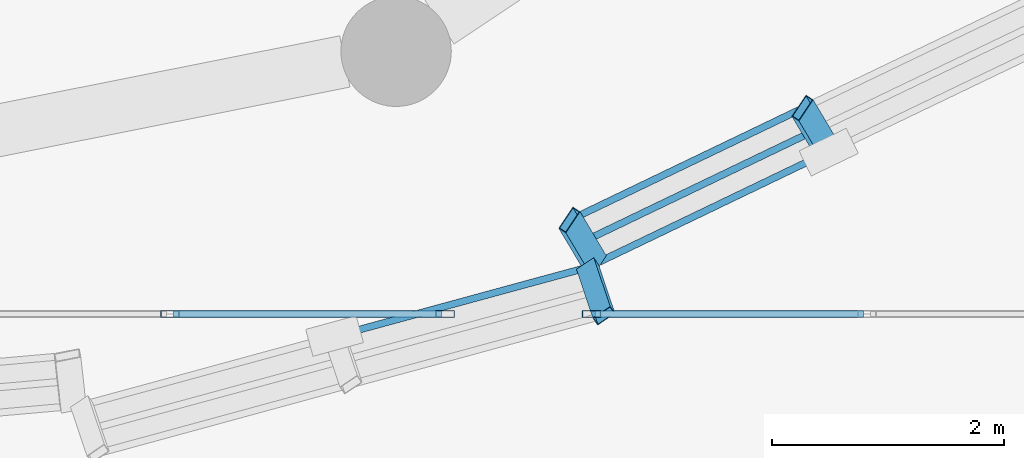
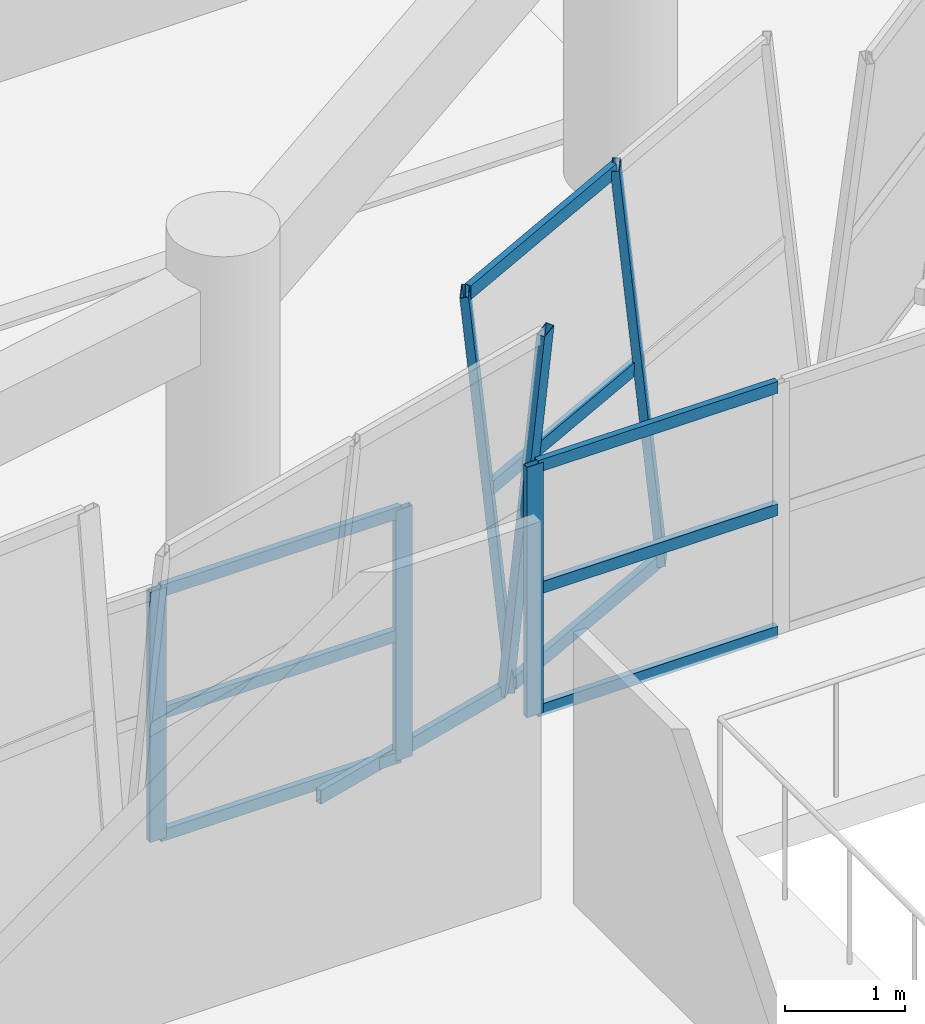
# One storey, part 26 of 71: 16 members, 4 elements without a shape of their own.
"""IFC4 building model written with IfcOpenShell, lengths in metres."""

from ifc_helpers import new_model, si_unit, direction, frame, origin, origin_2d, place, context, subcontext, project, spatial, hollow_rectangle, extrude, material, material_profile, profile_set, type_object, element, aggregate, save


model = new_model("IFC4")

# Units and contexts
model_context = context("Model", 3, precision=1e-05, world=origin(), true_north=direction((0.0, 1.0)))
body_context = subcontext(model_context, "Body", "Model", "MODEL_VIEW")
ifc_project = project(units=[si_unit("LENGTHUNIT", "METRE"), si_unit("AREAUNIT", "SQUARE_METRE"), si_unit("VOLUMEUNIT", "CUBIC_METRE"), si_unit("PLANEANGLEUNIT", "RADIAN"), si_unit("MASSUNIT", "GRAM", prefix="KILO")], contexts=[model_context])

# Site, building, storey
site_placement = place(None, origin())
site = spatial("IfcSite", under=ifc_project, at=site_placement, CompositionType="ELEMENT")
building_placement = place(site_placement, origin())
building = spatial("IfcBuilding", under=site, at=building_placement, Name="Korsvaeld Concert Hall", CompositionType="ELEMENT")
storey_placement = place(building_placement, frame((0.0, 0.0, 4.800048828125)))
storey = spatial("IfcBuildingStorey", under=building, at=storey_placement, Name="L01", CompositionType="ELEMENT", Elevation=4.800048828125)

# Curtain wall, members
ifc_material_1 = material(Name="Anodised bronze and ceramic-fritted safety glass", Category="glass")
curtain_wall_type_1 = type_object("IfcCurtainWallType", Name="CW-TYPE-12", PredefinedType="USERDEFINED", material=ifc_material_1)
curtain_wall_1_placement = place(storey_placement, origin())
curtain_wall_1 = element("IfcCurtainWall", 1, at=curtain_wall_1_placement, inside=storey, type_object=curtain_wall_type_1, Name="Glazed foyer acoustic screen L01-28", ObjectType="CURTAIN WALL", PredefinedType="USERDEFINED")
ifc_material_2 = material(Name="Anodised architectural bronze aluminium", Category="aluminium")
ifc_material_profile_1 = material_profile(ifc_material_2, hollow_rectangle(XDim=0.06005859375, YDim=0.159912109375, WallThickness=0.00390625, at=origin_2d()), Name="CWM 160x60x4")
ifc_profile_set_1 = profile_set([ifc_material_profile_1], Name="Anodised architectural bronze aluminium")
member_type_1 = type_object("IfcMemberType", Name="CWM-ALUM-160x60", PredefinedType="MULLION", material=ifc_profile_set_1)
member_1_placement = place(storey_placement, frame((89.39990234375, 43.199951171875, 0.0), z_axis=(0.0, 0.0, 1.0), x_axis=(0.0, 1.0, 0.0)))
member_1 = element("IfcMember", 2, at=member_1_placement, type_object=member_type_1, Name="CW-12 mullion 3", PredefinedType="MULLION", context=body_context, shape_type="SweptSolid", body=[
    extrude(hollow_rectangle(XDim=0.06005859375, YDim=0.159912109375, WallThickness=0.00390625, at=origin_2d()), origin(), (0.0, 0.0, 1.0), 2.550048828125),
])
member_2_placement = place(storey_placement, frame((91.77001953125, 43.199951171875, 0.0), z_axis=(0.0, 0.0, 1.0), x_axis=(0.0, 1.0, 0.0)))
member_2 = element("IfcMember", 3, at=member_2_placement, type_object=member_type_1, Name="CW-12 mullion 4", PredefinedType="MULLION", context=body_context, shape_type="SweptSolid", body=[
    extrude(hollow_rectangle(XDim=0.06005859375, YDim=0.159912109375, WallThickness=0.00390625, at=origin_2d()), origin(), (0.0, 0.0, 1.0), 2.550048828125),
])

# Curtain wall, member
curtain_wall_type_2 = type_object("IfcCurtainWallType", Name="CW-TYPE-13", PredefinedType="USERDEFINED", material=ifc_material_1)
curtain_wall_2_placement = place(storey_placement, origin())
curtain_wall_2 = element("IfcCurtainWall", 4, at=curtain_wall_2_placement, inside=storey, type_object=curtain_wall_type_2, Name="Glazed foyer acoustic screen L01-29", ObjectType="CURTAIN WALL", PredefinedType="USERDEFINED")
member_3_placement = place(storey_placement, frame((93.030029296875, 43.199951171875, 0.0), z_axis=(0.0, 0.0, 1.0), x_axis=(0.0, 1.0, 0.0)))
member_3 = element("IfcMember", 5, at=member_3_placement, type_object=member_type_1, Name="CW-13 mullion 1", PredefinedType="MULLION", context=body_context, shape_type="SweptSolid", body=[
    extrude(hollow_rectangle(XDim=0.06005859375, YDim=0.159912109375, WallThickness=0.00390625, at=origin_2d()), origin(), (0.0, 0.0, 1.0), 2.550048828125),
])

curtain_wall_type_3 = type_object("IfcCurtainWallType", Name="CW-TYPE-02", PredefinedType="USERDEFINED", material=ifc_material_1)
curtain_wall_3_placement = place(storey_placement, origin())
curtain_wall_3 = element("IfcCurtainWall", 6, at=curtain_wall_3_placement, inside=storey, type_object=curtain_wall_type_3, Name="Crystal curtain-wall facet L01 F26", ObjectType="CURTAIN WALL", PredefinedType="USERDEFINED")
ifc_material_profile_2 = material_profile(ifc_material_2, hollow_rectangle(XDim=0.074951171875, YDim=0.179931640625, WallThickness=0.0048828125, at=origin_2d()), Name="CWM 180x75x5")
ifc_profile_set_2 = profile_set([ifc_material_profile_2], Name="Anodised architectural bronze aluminium")
member_type_2 = type_object("IfcMemberType", Name="CWM-BRONZE-180x75", PredefinedType="MULLION", material=ifc_profile_set_2)
member_4_placement = place(storey_placement, frame((92.9951171875, 43.60400390625, 0.0), z_axis=(0.036199127939, -0.107284462077, 0.993569155788), x_axis=(-0.555586106848, 0.82425112305, 0.109243599485)))
member_4 = element("IfcMember", 7, at=member_4_placement, type_object=member_type_2, Name="CW-CRYS-L01-F26 crystal mullion 3", PredefinedType="MULLION", context=body_context, shape_type="SweptSolid", body=[
    extrude(hollow_rectangle(XDim=0.074951171875, YDim=0.179931640625, WallThickness=0.0048828125, at=origin_2d()), origin(), (0.0, 0.0, 1.0), 3.905029296875),
])

# Curtain wall, members
curtain_wall_type_4 = type_object("IfcCurtainWallType", Name="CW-TYPE-03", PredefinedType="USERDEFINED", material=ifc_material_1)
curtain_wall_4_placement = place(storey_placement, origin())
curtain_wall_4 = element("IfcCurtainWall", 8, at=curtain_wall_4_placement, inside=storey, type_object=curtain_wall_type_4, Name="Crystal curtain-wall facet L01 F27", ObjectType="CURTAIN WALL", PredefinedType="USERDEFINED")
ifc_material_profile_3 = material_profile(ifc_material_2, hollow_rectangle(XDim=0.074951171875, YDim=0.219970703125, WallThickness=0.006103515625, at=origin_2d()), Name="CWM 220x75x6")
ifc_profile_set_3 = profile_set([ifc_material_profile_3], Name="Anodised architectural bronze aluminium")
member_type_3 = type_object("IfcMemberType", Name="CWM-BRONZE-220x75", PredefinedType="MULLION", material=ifc_profile_set_3)
member_5_placement = place(storey_placement, frame((93.065185546875, 43.630126953125, 0.0), z_axis=(-0.057893742062, 0.097281493141, 0.993571651026), x_axis=(0.829999138773, -0.548349174532, 0.102052008437)))
member_5 = element("IfcMember", 9, at=member_5_placement, type_object=member_type_3, Name="CW-CRYS-L01-F27 crystal mullion 1", PredefinedType="MULLION", context=body_context, shape_type="SweptSolid", body=[
    extrude(hollow_rectangle(XDim=0.074951171875, YDim=0.219970703125, WallThickness=0.006103515625, at=origin_2d()), origin(), (0.0, 0.0, 1.0), 3.905029296875),
])
member_6_placement = place(storey_placement, frame((95.0712890625, 44.59326171875, 0.0), z_axis=(-0.057831431032, 0.097281845066, 0.993575245367), x_axis=(0.829740385878, -0.548745919408, 0.10202356579)))
member_6 = element("IfcMember", 10, at=member_6_placement, type_object=member_type_3, Name="CW-CRYS-L01-F27 crystal mullion 2", PredefinedType="MULLION", context=body_context, shape_type="SweptSolid", body=[
    extrude(hollow_rectangle(XDim=0.074951171875, YDim=0.219970703125, WallThickness=0.006103515625, at=origin_2d()), origin(), (0.0, 0.0, 1.0), 3.905029296875),
])

# Member
ifc_material_profile_4 = material_profile(ifc_material_2, hollow_rectangle(XDim=0.06005859375, YDim=0.1201171875, WallThickness=0.00390625, at=origin_2d()), Name="CWT 120x60x4")
ifc_profile_set_4 = profile_set([ifc_material_profile_4], Name="Anodised architectural bronze aluminium")
member_type_4 = type_object("IfcMemberType", Name="CWT-ALUM-120x60", PredefinedType="USERDEFINED", material=ifc_profile_set_4)
member_7_placement = place(storey_placement, frame((89.429931640625, 43.199951171875, 0.030029296875), z_axis=(1.0, 0.0, 0.0), x_axis=(0.0, 1.0, 0.0)))
member_7 = element("IfcMember", 11, at=member_7_placement, type_object=member_type_4, Name="CW-12 transom 3.1", ObjectType="TRANSOM", PredefinedType="USERDEFINED", context=body_context, shape_type="SweptSolid", body=[
    extrude(hollow_rectangle(XDim=0.06005859375, YDim=0.1201171875, WallThickness=0.00390625, at=origin_2d()), origin(), (0.0, 0.0, 1.0), 2.31005859375),
])

member_8_placement = place(storey_placement, frame((89.429931640625, 43.199951171875, 1.27490234375), z_axis=(1.0, 0.0, 0.0), x_axis=(0.0, 1.0, 0.0)))
member_8 = element("IfcMember", 12, at=member_8_placement, type_object=member_type_4, Name="CW-12 transom 3.2", ObjectType="TRANSOM", PredefinedType="USERDEFINED", context=body_context, shape_type="SweptSolid", body=[
    extrude(hollow_rectangle(XDim=0.06005859375, YDim=0.1201171875, WallThickness=0.00390625, at=origin_2d()), origin(), (0.0, 0.0, 1.0), 2.31005859375),
])

member_9_placement = place(storey_placement, frame((89.429931640625, 43.199951171875, 2.52001953125), z_axis=(1.0, 0.0, 0.0), x_axis=(0.0, 1.0, 0.0)))
member_9 = element("IfcMember", 13, at=member_9_placement, type_object=member_type_4, Name="CW-12 transom 3.3", ObjectType="TRANSOM", PredefinedType="USERDEFINED", context=body_context, shape_type="SweptSolid", body=[
    extrude(hollow_rectangle(XDim=0.06005859375, YDim=0.1201171875, WallThickness=0.00390625, at=origin_2d()), origin(), (0.0, 0.0, 1.0), 2.31005859375),
])

aggregate(curtain_wall_1, [member_1, member_2, member_7, member_8, member_9])

member_10_placement = place(storey_placement, frame((93.06005859375, 43.199951171875, 0.030029296875), z_axis=(1.0, 0.0, 0.0), x_axis=(0.0, 1.0, 0.0)))
member_10 = element("IfcMember", 14, at=member_10_placement, type_object=member_type_4, Name="CW-13 transom 1.1", ObjectType="TRANSOM", PredefinedType="USERDEFINED", context=body_context, shape_type="SweptSolid", body=[
    extrude(hollow_rectangle(XDim=0.06005859375, YDim=0.1201171875, WallThickness=0.00390625, at=origin_2d()), origin(), (0.0, 0.0, 1.0), 2.31005859375),
])

member_11_placement = place(storey_placement, frame((93.06005859375, 43.199951171875, 1.27490234375), z_axis=(1.0, 0.0, 0.0), x_axis=(0.0, 1.0, 0.0)))
member_11 = element("IfcMember", 15, at=member_11_placement, type_object=member_type_4, Name="CW-13 transom 1.2", ObjectType="TRANSOM", PredefinedType="USERDEFINED", context=body_context, shape_type="SweptSolid", body=[
    extrude(hollow_rectangle(XDim=0.06005859375, YDim=0.1201171875, WallThickness=0.00390625, at=origin_2d()), origin(), (0.0, 0.0, 1.0), 2.31005859375),
])

member_12_placement = place(storey_placement, frame((93.06005859375, 43.199951171875, 2.52001953125), z_axis=(1.0, 0.0, 0.0), x_axis=(0.0, 1.0, 0.0)))
member_12 = element("IfcMember", 16, at=member_12_placement, type_object=member_type_4, Name="CW-13 transom 1.3", ObjectType="TRANSOM", PredefinedType="USERDEFINED", context=body_context, shape_type="SweptSolid", body=[
    extrude(hollow_rectangle(XDim=0.06005859375, YDim=0.1201171875, WallThickness=0.00390625, at=origin_2d()), origin(), (0.0, 0.0, 1.0), 2.31005859375),
])

aggregate(curtain_wall_2, [member_3, member_10, member_11, member_12])

ifc_material_profile_5 = material_profile(ifc_material_2, hollow_rectangle(XDim=0.06005859375, YDim=0.139892578125, WallThickness=0.00390625, at=origin_2d()), Name="CWT 140x60x4")
ifc_profile_set_5 = profile_set([ifc_material_profile_5], Name="Anodised architectural bronze aluminium")
member_type_5 = type_object("IfcMemberType", Name="CWT-BRONZE-140x60", PredefinedType="USERDEFINED", material=ifc_profile_set_5)
member_13_placement = place(storey_placement, frame((90.85498046875, 43.017333984375, 0.030029296875), z_axis=(0.964833511963, 0.262861739689, 0.0), x_axis=(-0.262861739689, 0.964833511963, 0.0)))
member_13 = element("IfcMember", 17, at=member_13_placement, type_object=member_type_5, Name="CW-CRYS-L01-F26 crystal transom 2.1", ObjectType="TRANSOM", PredefinedType="USERDEFINED", context=body_context, shape_type="SweptSolid", body=[
    extrude(hollow_rectangle(XDim=0.06005859375, YDim=0.139892578125, WallThickness=0.00390625, at=origin_2d()), origin(), (0.0, 0.0, 1.0), 2.181640625),
])

aggregate(curtain_wall_3, [member_4, member_13])

member_14_placement = place(storey_placement, frame((93.09716796875, 43.649169921875, 0.030029296875), z_axis=(0.901464591462, 0.432852850679, 0.0), x_axis=(-0.432852850679, 0.901464591462, 0.0)))
member_14 = element("IfcMember", 18, at=member_14_placement, type_object=member_type_5, Name="CW-CRYS-L01-F27 crystal transom 1.1", ObjectType="TRANSOM", PredefinedType="USERDEFINED", context=body_context, shape_type="SweptSolid", body=[
    extrude(hollow_rectangle(XDim=0.06005859375, YDim=0.139892578125, WallThickness=0.00390625, at=origin_2d()), origin(), (0.0, 0.0, 1.0), 2.150634765625),
])

member_15_placement = place(storey_placement, frame((92.98583984375, 43.836181640625, 1.93994140625), z_axis=(0.901464591462, 0.432852850679, 0.0), x_axis=(-0.432852850679, 0.901464591462, 0.0)))
member_15 = element("IfcMember", 19, at=member_15_placement, type_object=member_type_5, Name="CW-CRYS-L01-F27 crystal transom 1.2", ObjectType="TRANSOM", PredefinedType="USERDEFINED", context=body_context, shape_type="SweptSolid", body=[
    extrude(hollow_rectangle(XDim=0.06005859375, YDim=0.139892578125, WallThickness=0.00390625, at=origin_2d()), origin(), (0.0, 0.0, 1.0), 2.150634765625),
])

member_16_placement = place(storey_placement, frame((92.87451171875, 44.023193359375, 3.849853515625), z_axis=(0.901464591462, 0.432852850679, 0.0), x_axis=(-0.432852850679, 0.901464591462, 0.0)))
member_16 = element("IfcMember", 20, at=member_16_placement, type_object=member_type_5, Name="CW-CRYS-L01-F27 crystal transom 1.3", ObjectType="TRANSOM", PredefinedType="USERDEFINED", context=body_context, shape_type="SweptSolid", body=[
    extrude(hollow_rectangle(XDim=0.06005859375, YDim=0.139892578125, WallThickness=0.00390625, at=origin_2d()), origin(), (0.0, 0.0, 1.0), 2.150634765625),
])

aggregate(curtain_wall_4, [member_5, member_6, member_14, member_15, member_16])

save(model, "model.ifc")
